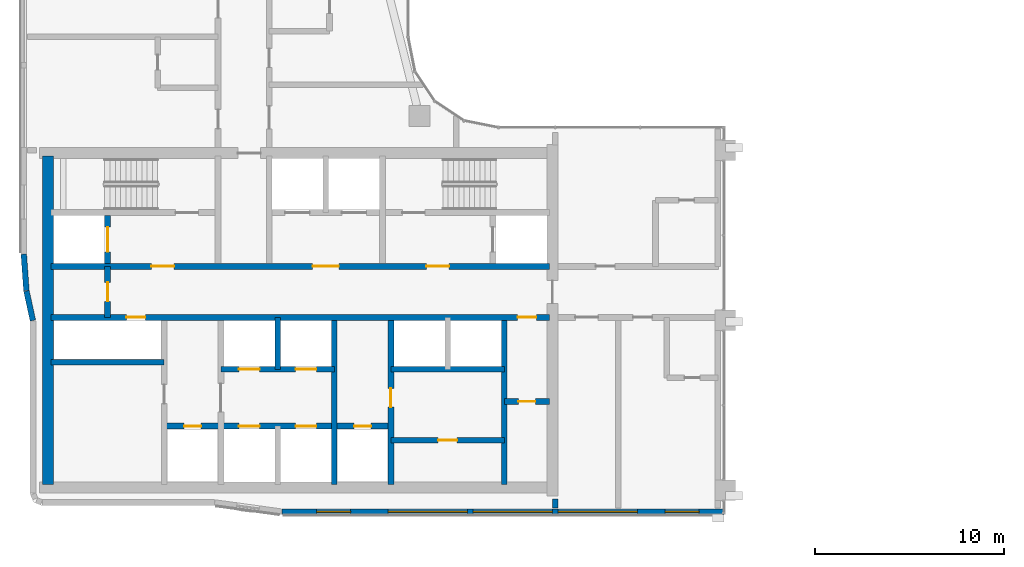
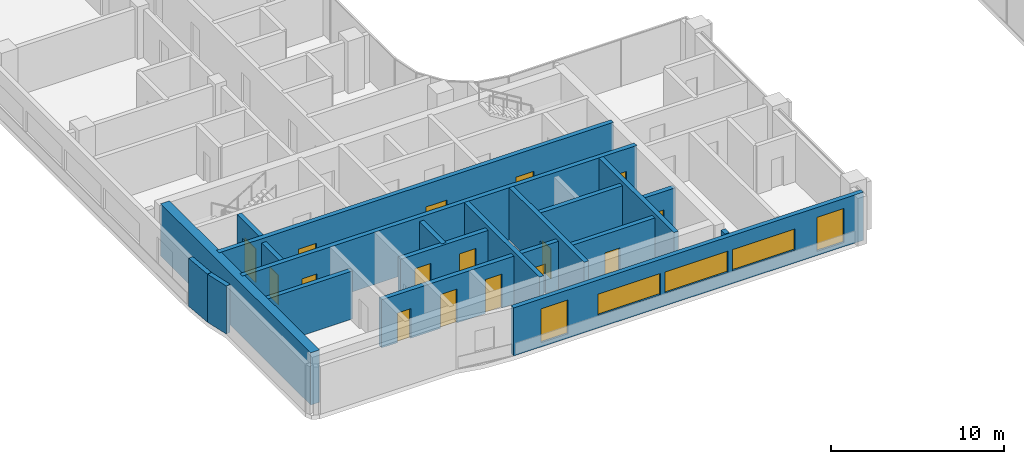
# One storey, part 10 of 23: 19 walls, 16 doors, 5 windows, 21 openings.
"""IFC4 building model written with IfcOpenShell, lengths in metres."""

from ifc_helpers import new_model, si_unit, direction, frame, frame_2d, origin, place, context, subcontext, project, spatial, rectangle, extrude, material, layer, layer_set, type_object, element, fill, save


model = new_model("IFC4")

# Units and contexts
model_context = context("Model", 3, precision=1e-05, world=origin(), true_north=direction((0.0, 1.0)))
body_context = subcontext(model_context, "Body", "Model", "MODEL_VIEW")
ifc_project = project(units=[si_unit("LENGTHUNIT", "METRE"), si_unit("AREAUNIT", "SQUARE_METRE"), si_unit("VOLUMEUNIT", "CUBIC_METRE"), si_unit("PLANEANGLEUNIT", "RADIAN"), si_unit("MASSUNIT", "GRAM", prefix="KILO")], contexts=[model_context])

# Site, building, storey
site_placement = place(None, origin())
site = spatial("IfcSite", under=ifc_project, at=site_placement, CompositionType="ELEMENT")
building_placement = place(site_placement, origin())
building = spatial("IfcBuilding", under=site, at=building_placement, Name="Ogive Portal Towers", CompositionType="ELEMENT")
storey_placement = place(building_placement, frame((0.0, 0.0, 168.10009765625)))
storey = spatial("IfcBuildingStorey", under=building, at=storey_placement, Name="L41", CompositionType="ELEMENT", Elevation=168.10009765625)

# Wall
ifc_material_1 = material(Name="Concrete C60/75", Category="concrete")
ifc_layer_1 = layer(ifc_material_1, 0.300048828125)
ifc_layer_set_1 = layer_set([ifc_layer_1], Name="CORE WALL 300 C60")
wall_type_1 = type_object("IfcWallType", Name="CORE WALL 300 C60", PredefinedType="SHEAR", material=ifc_layer_set_1)
wall_1_placement = place(storey_placement, frame((46.800048828125, 21.800048828125, 0.0), z_axis=(0.0, 0.0, 1.0), x_axis=(0.0, 1.0, 0.0)))
element("IfcWall", 1, at=wall_1_placement, inside=storey, type_object=wall_type_1, Name="Core wall X3 L41", PredefinedType="SHEAR", context=body_context, shape_type="SweptSolid", body=[
    extrude(rectangle(XDim=8.699951171875, YDim=0.300048828125, at=frame_2d((4.35009765625, 0.0))), origin(), (0.0, 0.0, 1.0), 3.699951171875),
])

# Wall, opening, door
wall_2_placement = place(storey_placement, frame((49.800048828125, 21.800048828125, 0.0), z_axis=(0.0, 0.0, 1.0), x_axis=(0.0, 1.0, 0.0)))
wall_2 = element("IfcWall", 2, at=wall_2_placement, inside=storey, type_object=wall_type_1, Name="Core wall X4 L41", PredefinedType="SHEAR", context=body_context, shape_type="SweptSolid", body=[
    extrude(rectangle(XDim=8.699951171875, YDim=0.300048828125, at=frame_2d((4.35009765625, 0.0))), origin(), (0.0, 0.0, 1.0), 3.699951171875),
])
opening_1_placement = place(wall_2_placement, frame((4.10009765625, 0.0, 0.0)))
opening_1 = element("IfcOpeningElement", 3, at=opening_1_placement, cuts=wall_2, Name="Opening D16-023", PredefinedType="OPENING", context=body_context, shape_type="SweptSolid", body=[
    extrude(rectangle(XDim=1.0, YDim=2.10009765625, at=frame_2d((0.5, 1.050048828125))), frame((0.0, 0.16015625, 0.0), z_axis=(0.0, -1.0, 0.0), x_axis=(1.0, 0.0, 0.0)), (0.0, 0.0, 1.0), 0.320068359375),
])
ifc_material_2 = material(Name="Steel fire door", Category="steel")
door_type_1 = type_object("IfcDoorType", Name="DT-SWING-1000x2100-FD90S", OperationType="SINGLE_SWING_LEFT", PredefinedType="DOOR", material=ifc_material_2)
door_1_placement = place(opening_1_placement, origin())
door_1 = element("IfcDoor", 4, at=door_1_placement, inside=storey, type_object=door_type_1, Name="Door D16-023", OperationType="SINGLE_SWING_LEFT", OverallHeight=2.10009765625, OverallWidth=1.0, PredefinedType="DOOR", context=body_context, shape_type="SweptSolid", body=[
    extrude(rectangle(XDim=1.0, YDim=2.10009765625, at=frame_2d((0.5, 1.050048828125))), frame((0.0, 0.02490234375, 0.0), z_axis=(0.0, -1.0, 0.0), x_axis=(1.0, 0.0, 0.0)), (0.0, 0.0, 1.0), 0.050048828125),
])
fill(opening_1, door_1)

# Wall
wall_3_placement = place(storey_placement, frame((55.800048828125, 21.800048828125, 0.0), z_axis=(0.0, 0.0, 1.0), x_axis=(0.0, 1.0, 0.0)))
element("IfcWall", 5, at=wall_3_placement, inside=storey, type_object=wall_type_1, Name="Core wall X5 L41", PredefinedType="SHEAR", context=body_context, shape_type="SweptSolid", body=[
    extrude(rectangle(XDim=8.699951171875, YDim=0.300048828125, at=frame_2d((4.35009765625, 0.0))), origin(), (0.0, 0.0, 1.0), 3.699951171875),
])

# Wall, openings, doors
wall_4_placement = place(storey_placement, frame((31.800048828125, 30.64990234375, 0.0), z_axis=(0.0, 0.0, 1.0), x_axis=(1.0, 0.0, 0.0)))
wall_4 = element("IfcWall", 6, at=wall_4_placement, inside=storey, type_object=wall_type_1, Name="Core wall Y1 L41", PredefinedType="SHEAR", context=body_context, shape_type="SweptSolid", body=[
    extrude(rectangle(XDim=26.39990234375, YDim=0.300048828125, at=frame_2d((13.199951171875, 0.0))), origin(), (0.0, 0.0, 1.0), 3.699951171875),
])
opening_2_placement = place(wall_4_placement, frame((24.699951171875, 0.0, 0.0)))
opening_2 = element("IfcOpeningElement", 7, at=opening_2_placement, cuts=wall_4, Name="Opening D16-009", PredefinedType="OPENING", context=body_context, shape_type="SweptSolid", body=[
    extrude(rectangle(XDim=1.0, YDim=2.10009765625, at=frame_2d((0.5, 1.050048828125))), frame((0.0, 0.16015625, 0.0), z_axis=(0.0, -1.0, 0.0), x_axis=(1.0, 0.0, 0.0)), (0.0, 0.0, 1.0), 0.320068359375),
])
opening_3_placement = place(wall_4_placement, frame((4.0, 0.0, 0.0)))
opening_3 = element("IfcOpeningElement", 8, at=opening_3_placement, cuts=wall_4, Name="Opening D16-021", PredefinedType="OPENING", context=body_context, shape_type="SweptSolid", body=[
    extrude(rectangle(XDim=1.0, YDim=2.10009765625, at=frame_2d((0.5, 1.050048828125))), frame((0.0, 0.16015625, 0.0), z_axis=(0.0, -1.0, 0.0), x_axis=(1.0, 0.0, 0.0)), (0.0, 0.0, 1.0), 0.320068359375),
])
door_2_placement = place(opening_2_placement, origin())
door_2 = element("IfcDoor", 9, at=door_2_placement, inside=storey, type_object=door_type_1, Name="Door D16-009", OperationType="SINGLE_SWING_LEFT", OverallHeight=2.10009765625, OverallWidth=1.0, PredefinedType="DOOR", context=body_context, shape_type="SweptSolid", body=[
    extrude(rectangle(XDim=1.0, YDim=2.10009765625, at=frame_2d((0.5, 1.050048828125))), frame((0.0, 0.02490234375, 0.0), z_axis=(0.0, -1.0, 0.0), x_axis=(1.0, 0.0, 0.0)), (0.0, 0.0, 1.0), 0.050048828125),
])
fill(opening_2, door_2)
door_3_placement = place(opening_3_placement, origin())
door_3 = element("IfcDoor", 10, at=door_3_placement, inside=storey, type_object=door_type_1, Name="Riser access door D16-021", OperationType="SINGLE_SWING_LEFT", OverallHeight=2.10009765625, OverallWidth=1.0, PredefinedType="DOOR", context=body_context, shape_type="SweptSolid", body=[
    extrude(rectangle(XDim=1.0, YDim=2.10009765625, at=frame_2d((0.5, 1.050048828125))), frame((0.0, 0.02490234375, 0.0), z_axis=(0.0, -1.0, 0.0), x_axis=(1.0, 0.0, 0.0)), (0.0, 0.0, 1.0), 0.050048828125),
])
fill(opening_3, door_3)

wall_5_placement = place(storey_placement, frame((31.800048828125, 33.35009765625, 0.0), z_axis=(0.0, 0.0, 1.0), x_axis=(1.0, 0.0, 0.0)))
wall_5 = element("IfcWall", 11, at=wall_5_placement, inside=storey, type_object=wall_type_1, Name="Core wall Y2 L41", PredefinedType="SHEAR", context=body_context, shape_type="SweptSolid", body=[
    extrude(rectangle(XDim=26.39990234375, YDim=0.300048828125, at=frame_2d((13.199951171875, 0.0))), origin(), (0.0, 0.0, 1.0), 3.699951171875),
])
opening_4_placement = place(wall_5_placement, frame((13.85009765625, 0.0, 0.0)))
opening_4 = element("IfcOpeningElement", 12, at=opening_4_placement, cuts=wall_5, Name="Opening D16-002", PredefinedType="OPENING", context=body_context, shape_type="SweptSolid", body=[
    extrude(rectangle(XDim=1.39990234375, YDim=2.10009765625, at=frame_2d((0.699951171875, 1.050048828125))), frame((0.0, 0.16015625, 0.0), z_axis=(0.0, -1.0, 0.0), x_axis=(1.0, 0.0, 0.0)), (0.0, 0.0, 1.0), 0.320068359375),
])
opening_5_placement = place(wall_5_placement, frame((5.324951171875, 0.0, 0.0)))
opening_5 = element("IfcOpeningElement", 13, at=opening_5_placement, cuts=wall_5, Name="Opening D16-003", PredefinedType="OPENING", context=body_context, shape_type="SweptSolid", body=[
    extrude(rectangle(XDim=1.199951171875, YDim=2.10009765625, at=frame_2d((0.60009765625, 1.050048828125))), frame((0.0, 0.16015625, 0.0), z_axis=(0.0, -1.0, 0.0), x_axis=(1.0, 0.0, 0.0)), (0.0, 0.0, 1.0), 0.320068359375),
])
opening_6_placement = place(wall_5_placement, frame((19.875, 0.0, 0.0)))
opening_6 = element("IfcOpeningElement", 14, at=opening_6_placement, cuts=wall_5, Name="Opening D16-004", PredefinedType="OPENING", context=body_context, shape_type="SweptSolid", body=[
    extrude(rectangle(XDim=1.199951171875, YDim=2.10009765625, at=frame_2d((0.60009765625, 1.050048828125))), frame((0.0, 0.16015625, 0.0), z_axis=(0.0, -1.0, 0.0), x_axis=(1.0, 0.0, 0.0)), (0.0, 0.0, 1.0), 0.320068359375),
])
door_type_2 = type_object("IfcDoorType", Name="DT-SWING-1200x2100-FD90S", OperationType="SINGLE_SWING_LEFT", PredefinedType="DOOR", material=ifc_material_2)
door_4_placement = place(opening_5_placement, origin())
door_4 = element("IfcDoor", 15, at=door_4_placement, inside=storey, type_object=door_type_2, Name="Door D16-003", OperationType="SINGLE_SWING_LEFT", OverallHeight=2.10009765625, OverallWidth=1.199951171875, PredefinedType="DOOR", context=body_context, shape_type="SweptSolid", body=[
    extrude(rectangle(XDim=1.199951171875, YDim=2.10009765625, at=frame_2d((0.60009765625, 1.050048828125))), frame((0.0, 0.02490234375, 0.0), z_axis=(0.0, -1.0, 0.0), x_axis=(1.0, 0.0, 0.0)), (0.0, 0.0, 1.0), 0.050048828125),
])
fill(opening_5, door_4)
door_5_placement = place(opening_6_placement, origin())
door_5 = element("IfcDoor", 16, at=door_5_placement, inside=storey, type_object=door_type_2, Name="Door D16-004", OperationType="SINGLE_SWING_RIGHT", OverallHeight=2.10009765625, OverallWidth=1.199951171875, PredefinedType="DOOR", context=body_context, shape_type="SweptSolid", body=[
    extrude(rectangle(XDim=1.199951171875, YDim=2.10009765625, at=frame_2d((0.60009765625, 1.050048828125))), frame((0.0, 0.02490234375, 0.0), z_axis=(0.0, -1.0, 0.0), x_axis=(1.0, 0.0, 0.0)), (0.0, 0.0, 1.0), 0.050048828125),
])
fill(opening_6, door_5)
door_type_3 = type_object("IfcDoorType", Name="DT-SWING-1400x2100-FD90S", OperationType="SINGLE_SWING_LEFT", PredefinedType="DOOR", material=ifc_material_2)
door_6_placement = place(opening_4_placement, origin())
door_6 = element("IfcDoor", 17, at=door_6_placement, inside=storey, type_object=door_type_3, Name="Door D16-002", OperationType="SINGLE_SWING_RIGHT", OverallHeight=2.10009765625, OverallWidth=1.39990234375, PredefinedType="DOOR", context=body_context, shape_type="SweptSolid", body=[
    extrude(rectangle(XDim=1.39990234375, YDim=2.10009765625, at=frame_2d((0.699951171875, 1.050048828125))), frame((0.0, 0.02490234375, 0.0), z_axis=(0.0, -1.0, 0.0), x_axis=(1.0, 0.0, 0.0)), (0.0, 0.0, 1.0), 0.050048828125),
])
fill(opening_4, door_6)

# Wall, opening, door
wall_6_placement = place(storey_placement, frame((34.800048828125, 33.5, 0.0), z_axis=(0.0, 0.0, 1.0), x_axis=(0.0, 1.0, 0.0)))
wall_6 = element("IfcWall", 18, at=wall_6_placement, inside=storey, type_object=wall_type_1, Name="Core wall X8 L41", PredefinedType="SHEAR", context=body_context, shape_type="SweptSolid", body=[
    extrude(rectangle(XDim=2.550048828125, YDim=0.300048828125, at=frame_2d((1.27490234375, 0.0))), origin(), (0.0, 0.0, 1.0), 3.699951171875),
])
opening_7_placement = place(wall_6_placement, frame((0.625, 0.0, 0.0)))
opening_7 = element("IfcOpeningElement", 19, at=opening_7_placement, cuts=wall_6, Name="Opening D16-019", PredefinedType="OPENING", context=body_context, shape_type="SweptSolid", body=[
    extrude(rectangle(XDim=1.300048828125, YDim=2.39990234375, at=frame_2d((0.64990234375, 1.199951171875))), frame((0.0, 0.16015625, 0.0), z_axis=(0.0, -1.0, 0.0), x_axis=(1.0, 0.0, 0.0)), (0.0, 0.0, 1.0), 0.320068359375),
])
ifc_material_3 = material(Name="Stainless steel", Category="steel")
door_type_4 = type_object("IfcDoorType", Name="DT-LD-1300x2400", OperationType="SLIDING_TO_LEFT", PredefinedType="DOOR", material=ifc_material_3)
door_7_placement = place(opening_7_placement, origin())
door_7 = element("IfcDoor", 20, at=door_7_placement, inside=storey, type_object=door_type_4, Name="Door D16-019", OperationType="SLIDING_TO_LEFT", OverallHeight=2.39990234375, OverallWidth=1.300048828125, PredefinedType="DOOR", context=body_context, shape_type="SweptSolid", body=[
    extrude(rectangle(XDim=1.300048828125, YDim=2.39990234375, at=frame_2d((0.64990234375, 1.199951171875))), frame((0.0, 0.02490234375, 0.0), z_axis=(0.0, -1.0, 0.0), x_axis=(1.0, 0.0, 0.0)), (0.0, 0.0, 1.0), 0.050048828125),
])
fill(opening_7, door_7)

# Wall
ifc_layer_2 = layer(ifc_material_1, 0.60009765625)
ifc_layer_set_2 = layer_set([ifc_layer_2], Name="CORE WALL 600 C60")
wall_type_2 = type_object("IfcWallType", Name="CORE WALL 600 C60", PredefinedType="SHEAR", material=ifc_layer_set_2)
wall_7_placement = place(storey_placement, frame((31.64990234375, 21.800048828125, 0.0), z_axis=(0.0, 0.0, 1.0), x_axis=(0.0, 1.0, 0.0)))
element("IfcWall", 21, at=wall_7_placement, inside=storey, type_object=wall_type_2, Name="Core wall W L41", PredefinedType="SHEAR", context=body_context, shape_type="SweptSolid", body=[
    extrude(rectangle(XDim=17.39990234375, YDim=0.60009765625, at=frame_2d((8.699951171875, 0.0))), origin(), (0.0, 0.0, 1.0), 3.699951171875),
])

# Wall, openings, windows
ifc_material_4 = material(Name="Limestone cladding on lightweight block wall", Category="masonry")
ifc_layer_3 = layer(ifc_material_4, 0.300048828125)
ifc_layer_set_3 = layer_set([ifc_layer_3], Name="EXTERNAL WALL 300 STONE")
wall_type_3 = type_object("IfcWallType", Name="EXTERNAL WALL 300 STONE", PredefinedType="SOLIDWALL", material=ifc_layer_set_3)
wall_8_placement = place(storey_placement, frame((44.0205078125, 20.364990234375, 0.0), z_axis=(0.0, 0.0, 1.0), x_axis=(1.0, 0.0, 0.0)))
wall_8 = element("IfcWall", 22, at=wall_8_placement, inside=storey, type_object=wall_type_3, Name="A:L41:f05:r0:wall", PredefinedType="SOLIDWALL", context=body_context, shape_type="SweptSolid", body=[
    extrude(rectangle(XDim=23.3994140625, YDim=0.300048828125, at=frame_2d((11.69970703125, 0.0))), origin(), (0.0, 0.0, 1.0), 3.39990234375),
])
opening_8_placement = place(wall_8_placement, frame((1.83984375, 0.0, 0.300048828125)))
opening_8 = element("IfcOpeningElement", 23, at=opening_8_placement, cuts=wall_8, Name="Opening WN10", PredefinedType="OPENING", context=body_context, shape_type="SweptSolid", body=[
    extrude(rectangle(XDim=1.800048828125, YDim=2.39990234375, at=frame_2d((0.89990234375, 1.199951171875))), frame((0.0, 0.16015625, 0.0), z_axis=(0.0, -1.0, 0.0), x_axis=(1.0, 0.0, 0.0)), (0.0, 0.0, 1.0), 0.320068359375),
])
opening_9_placement = place(wall_8_placement, frame((5.629638671875, 0.0, 0.89990234375)))
opening_9 = element("IfcOpeningElement", 24, at=opening_9_placement, cuts=wall_8, Name="Opening WN11", PredefinedType="OPENING", context=body_context, shape_type="SweptSolid", body=[
    extrude(rectangle(XDim=4.199951171875, YDim=1.5, at=frame_2d((2.10009765625, 0.75))), frame((0.0, 0.16015625, 0.0), z_axis=(0.0, -1.0, 0.0), x_axis=(1.0, 0.0, 0.0)), (0.0, 0.0, 1.0), 0.320068359375),
])
opening_10_placement = place(wall_8_placement, frame((10.129638671875, 0.0, 0.89990234375)))
opening_10 = element("IfcOpeningElement", 25, at=opening_10_placement, cuts=wall_8, Name="Opening WN11", PredefinedType="OPENING", context=body_context, shape_type="SweptSolid", body=[
    extrude(rectangle(XDim=4.199951171875, YDim=1.5, at=frame_2d((2.10009765625, 0.75))), frame((0.0, 0.16015625, 0.0), z_axis=(0.0, -1.0, 0.0), x_axis=(1.0, 0.0, 0.0)), (0.0, 0.0, 1.0), 0.320068359375),
])
opening_11_placement = place(wall_8_placement, frame((14.629638671875, 0.0, 0.89990234375)))
opening_11 = element("IfcOpeningElement", 26, at=opening_11_placement, cuts=wall_8, Name="Opening WN11", PredefinedType="OPENING", context=body_context, shape_type="SweptSolid", body=[
    extrude(rectangle(XDim=4.199951171875, YDim=1.5, at=frame_2d((2.10009765625, 0.75))), frame((0.0, 0.16015625, 0.0), z_axis=(0.0, -1.0, 0.0), x_axis=(1.0, 0.0, 0.0)), (0.0, 0.0, 1.0), 0.320068359375),
])
opening_12_placement = place(wall_8_placement, frame((20.28955078125, 0.0, 0.300048828125)))
opening_12 = element("IfcOpeningElement", 27, at=opening_12_placement, cuts=wall_8, Name="Opening WN10", PredefinedType="OPENING", context=body_context, shape_type="SweptSolid", body=[
    extrude(rectangle(XDim=1.800048828125, YDim=2.39990234375, at=frame_2d((0.89990234375, 1.199951171875))), frame((0.0, 0.16015625, 0.0), z_axis=(0.0, -1.0, 0.0), x_axis=(1.0, 0.0, 0.0)), (0.0, 0.0, 1.0), 0.320068359375),
])
ifc_material_5 = material(Name="Glass, clear low-iron insulated glazing", Category="glass")
window_type_1 = type_object("IfcWindowType", Name="WINDOW RIBBON 4200x1500", PartitioningType="TRIPLE_PANEL_VERTICAL", PredefinedType="WINDOW", material=ifc_material_5)
window_1_placement = place(opening_9_placement, origin())
window_1 = element("IfcWindow", 28, at=window_1_placement, inside=storey, type_object=window_type_1, Name="A:L41:f05:r0:w1", OverallHeight=1.5, OverallWidth=4.199951171875, PartitioningType="SINGLE_PANEL", PredefinedType="WINDOW", context=body_context, shape_type="SweptSolid", body=[
    extrude(rectangle(XDim=4.199951171875, YDim=1.5, at=frame_2d((2.10009765625, 0.75))), frame((0.0, 0.030029296875, 0.0), z_axis=(0.0, -1.0, 0.0), x_axis=(1.0, 0.0, 0.0)), (0.0, 0.0, 1.0), 0.06005859375),
])
fill(opening_9, window_1)
window_2_placement = place(opening_10_placement, origin())
window_2 = element("IfcWindow", 29, at=window_2_placement, inside=storey, type_object=window_type_1, Name="A:L41:f05:r0:w2", OverallHeight=1.5, OverallWidth=4.199951171875, PartitioningType="SINGLE_PANEL", PredefinedType="WINDOW", context=body_context, shape_type="SweptSolid", body=[
    extrude(rectangle(XDim=4.199951171875, YDim=1.5, at=frame_2d((2.10009765625, 0.75))), frame((0.0, 0.030029296875, 0.0), z_axis=(0.0, -1.0, 0.0), x_axis=(1.0, 0.0, 0.0)), (0.0, 0.0, 1.0), 0.06005859375),
])
fill(opening_10, window_2)
window_3_placement = place(opening_11_placement, origin())
window_3 = element("IfcWindow", 30, at=window_3_placement, inside=storey, type_object=window_type_1, Name="A:L41:f05:r0:w3", OverallHeight=1.5, OverallWidth=4.199951171875, PartitioningType="SINGLE_PANEL", PredefinedType="WINDOW", context=body_context, shape_type="SweptSolid", body=[
    extrude(rectangle(XDim=4.199951171875, YDim=1.5, at=frame_2d((2.10009765625, 0.75))), frame((0.0, 0.030029296875, 0.0), z_axis=(0.0, -1.0, 0.0), x_axis=(1.0, 0.0, 0.0)), (0.0, 0.0, 1.0), 0.06005859375),
])
fill(opening_11, window_3)
window_type_2 = type_object("IfcWindowType", Name="WINDOW SUITE CORNER 1800x2400", PartitioningType="DOUBLE_PANEL_VERTICAL", PredefinedType="WINDOW", material=ifc_material_5)
window_4_placement = place(opening_8_placement, origin())
window_4 = element("IfcWindow", 31, at=window_4_placement, inside=storey, type_object=window_type_2, Name="A:L41:f05:r0:w0", OverallHeight=2.39990234375, OverallWidth=1.800048828125, PartitioningType="SINGLE_PANEL", PredefinedType="WINDOW", context=body_context, shape_type="SweptSolid", body=[
    extrude(rectangle(XDim=1.800048828125, YDim=2.39990234375, at=frame_2d((0.89990234375, 1.199951171875))), frame((0.0, 0.030029296875, 0.0), z_axis=(0.0, -1.0, 0.0), x_axis=(1.0, 0.0, 0.0)), (0.0, 0.0, 1.0), 0.06005859375),
])
fill(opening_8, window_4)
window_5_placement = place(opening_12_placement, origin())
window_5 = element("IfcWindow", 32, at=window_5_placement, inside=storey, type_object=window_type_2, Name="A:L41:f05:r0:w4", OverallHeight=2.39990234375, OverallWidth=1.800048828125, PartitioningType="SINGLE_PANEL", PredefinedType="WINDOW", context=body_context, shape_type="SweptSolid", body=[
    extrude(rectangle(XDim=1.800048828125, YDim=2.39990234375, at=frame_2d((0.89990234375, 1.199951171875))), frame((0.0, 0.030029296875, 0.0), z_axis=(0.0, -1.0, 0.0), x_axis=(1.0, 0.0, 0.0)), (0.0, 0.0, 1.0), 0.06005859375),
])
fill(opening_12, window_5)

# Walls
wall_9_placement = place(storey_placement, frame((30.365478515625, 34.0, 0.0), z_axis=(0.0, 0.0, 1.0), x_axis=(0.071300859436, -0.99745485484, 0.0)))
element("IfcWall", 33, at=wall_9_placement, inside=storey, type_object=wall_type_3, Name="A:L41:f20:r0:wall", PredefinedType="SOLIDWALL", context=body_context, shape_type="SweptSolid", body=[
    extrude(rectangle(XDim=1.9345703125, YDim=0.300048828125, at=frame_2d((0.96728515625, 0.0))), origin(), (0.0, 0.0, 1.0), 3.39990234375),
])
wall_10_placement = place(storey_placement, frame((30.50634765625, 32.049072265625, 0.0), z_axis=(0.0, 0.0, 1.0), x_axis=(0.212695686462, -0.977118490747, 0.0)))
element("IfcWall", 34, at=wall_10_placement, inside=storey, type_object=wall_type_3, Name="A:L41:f21:r0:wall", PredefinedType="SOLIDWALL", context=body_context, shape_type="SweptSolid", body=[
    extrude(rectangle(XDim=1.60009765625, YDim=0.300048828125, at=frame_2d((0.800048828125, 0.0))), origin(), (0.0, 0.0, 1.0), 3.39990234375),
])

# Wall, opening, door
ifc_material_6 = material(Name="Gypsum board partition on steel studs", Category="steel")
ifc_layer_4 = layer(ifc_material_6, 0.300048828125)
ifc_layer_set_4 = layer_set([ifc_layer_4], Name="WT-PART-300")
wall_type_4 = type_object("IfcWallType", Name="WT-PART-300", PredefinedType="PARTITIONING", material=ifc_layer_set_4)
wall_11_placement = place(storey_placement, frame((49.800048828125, 24.14990234375, 0.0), z_axis=(0.0, 0.0, 1.0), x_axis=(1.0, 0.0, 0.0)))
wall_11 = element("IfcWall", 35, at=wall_11_placement, inside=storey, type_object=wall_type_4, Name="Wall pw:001:L41", PredefinedType="PARTITIONING", context=body_context, shape_type="SweptSolid", body=[
    extrude(rectangle(XDim=6.0, YDim=0.300048828125, at=frame_2d((3.0, 0.0))), origin(), (0.0, 0.0, 1.0), 3.39990234375),
])
opening_13_placement = place(wall_11_placement, frame((2.5, 0.0, 0.0)))
opening_13 = element("IfcOpeningElement", 36, at=opening_13_placement, cuts=wall_11, Name="Opening D16-024", PredefinedType="OPENING", context=body_context, shape_type="SweptSolid", body=[
    extrude(rectangle(XDim=1.0, YDim=2.10009765625, at=frame_2d((0.5, 1.050048828125))), frame((0.0, 0.16015625, 0.0), z_axis=(0.0, -1.0, 0.0), x_axis=(1.0, 0.0, 0.0)), (0.0, 0.0, 1.0), 0.320068359375),
])
door_type_5 = type_object("IfcDoorType", Name="DT-SWING-1000x2100-FD60S", OperationType="SINGLE_SWING_LEFT", PredefinedType="DOOR", material=ifc_material_2)
door_8_placement = place(opening_13_placement, origin())
door_8 = element("IfcDoor", 37, at=door_8_placement, inside=storey, type_object=door_type_5, Name="Door D16-024", OperationType="SINGLE_SWING_RIGHT", OverallHeight=2.10009765625, OverallWidth=1.0, PredefinedType="DOOR", context=body_context, shape_type="SweptSolid", body=[
    extrude(rectangle(XDim=1.0, YDim=2.10009765625, at=frame_2d((0.5, 1.050048828125))), frame((0.0, 0.02490234375, 0.0), z_axis=(0.0, -1.0, 0.0), x_axis=(1.0, 0.0, 0.0)), (0.0, 0.0, 1.0), 0.050048828125),
])
fill(opening_13, door_8)

wall_12_placement = place(storey_placement, frame((55.800048828125, 26.199951171875, 0.0), z_axis=(0.0, 0.0, 1.0), x_axis=(1.0, 0.0, 0.0)))
wall_12 = element("IfcWall", 38, at=wall_12_placement, inside=storey, type_object=wall_type_4, Name="Wall pw:003:L41", PredefinedType="PARTITIONING", context=body_context, shape_type="SweptSolid", body=[
    extrude(rectangle(XDim=2.39990234375, YDim=0.300048828125, at=frame_2d((1.199951171875, 0.0))), origin(), (0.0, 0.0, 1.0), 3.39990234375),
])
opening_14_placement = place(wall_12_placement, frame((0.75, 0.0, 0.0)))
opening_14 = element("IfcOpeningElement", 39, at=opening_14_placement, cuts=wall_12, Name="Opening D16-010", PredefinedType="OPENING", context=body_context, shape_type="SweptSolid", body=[
    extrude(rectangle(XDim=0.89990234375, YDim=2.10009765625, at=frame_2d((0.449951171875, 1.050048828125))), frame((0.0, 0.16015625, 0.0), z_axis=(0.0, -1.0, 0.0), x_axis=(1.0, 0.0, 0.0)), (0.0, 0.0, 1.0), 0.320068359375),
])
door_type_6 = type_object("IfcDoorType", Name="DT-SWING-900x2100-FD60S", OperationType="SINGLE_SWING_LEFT", PredefinedType="DOOR", material=ifc_material_2)
door_9_placement = place(opening_14_placement, origin())
door_9 = element("IfcDoor", 40, at=door_9_placement, inside=storey, type_object=door_type_6, Name="Door D16-010", OperationType="SINGLE_SWING_RIGHT", OverallHeight=2.10009765625, OverallWidth=0.89990234375, PredefinedType="DOOR", context=body_context, shape_type="SweptSolid", body=[
    extrude(rectangle(XDim=0.89990234375, YDim=2.10009765625, at=frame_2d((0.449951171875, 1.050048828125))), frame((0.0, 0.02490234375, 0.0), z_axis=(0.0, -1.0, 0.0), x_axis=(1.0, 0.0, 0.0)), (0.0, 0.0, 1.0), 0.050048828125),
])
fill(opening_14, door_9)

# Walls
wall_13_placement = place(storey_placement, frame((31.800048828125, 28.277099609375, 0.0), z_axis=(0.0, 0.0, 1.0), x_axis=(1.0, 0.0, 0.0)))
element("IfcWall", 41, at=wall_13_placement, inside=storey, type_object=wall_type_4, Name="Wall pw:006:L41", PredefinedType="PARTITIONING", context=body_context, shape_type="SweptSolid", body=[
    extrude(rectangle(XDim=6.0, YDim=0.300048828125, at=frame_2d((3.0, 0.0))), origin(), (0.0, 0.0, 1.0), 3.39990234375),
])
ifc_layer_5 = layer(ifc_material_6, 0.300048828125)
ifc_layer_set_5 = layer_set([ifc_layer_5], Name="WT-PART-300-EI 60")
wall_type_5 = type_object("IfcWallType", Name="WT-PART-300-EI 60", PredefinedType="PARTITIONING", material=ifc_layer_set_5)
wall_14_placement = place(storey_placement, frame((58.5, 20.56494140625, 0.0), z_axis=(0.0, 0.0, 1.0), x_axis=(0.0, 1.0, 0.0)))
element("IfcWall", 42, at=wall_14_placement, inside=storey, type_object=wall_type_5, Name="Wall L41:w037", PredefinedType="PARTITIONING", context=body_context, shape_type="SweptSolid", body=[
    extrude(rectangle(XDim=0.465087890625, YDim=0.300048828125, at=frame_2d((0.232421875, 0.0))), origin(), (0.0, 0.0, 1.0), 3.39990234375),
])

# Wall, openings, doors
ifc_material_7 = material(Name="Concrete C40/50", Category="concrete")
ifc_layer_6 = layer(ifc_material_7, 0.300048828125)
ifc_layer_set_6 = layer_set([ifc_layer_6], Name="WT-SHAFT-300")
wall_type_6 = type_object("IfcWallType", Name="WT-SHAFT-300", PredefinedType="SOLIDWALL", material=ifc_layer_set_6)
wall_15_placement = place(storey_placement, frame((37.800048828125, 24.89990234375, 0.0), z_axis=(0.0, 0.0, 1.0), x_axis=(1.0, 0.0, 0.0)))
wall_15 = element("IfcWall", 43, at=wall_15_placement, inside=storey, type_object=wall_type_6, Name="Wall pw:002:L41", PredefinedType="SOLIDWALL", context=body_context, shape_type="SweptSolid", body=[
    extrude(rectangle(XDim=12.0, YDim=0.300048828125, at=frame_2d((6.0, 0.0))), origin(), (0.0, 0.0, 1.0), 3.39990234375),
])
opening_15_placement = place(wall_15_placement, frame((1.050048828125, 0.0, 0.0)))
opening_15 = element("IfcOpeningElement", 44, at=opening_15_placement, cuts=wall_15, Name="Opening D16-007", PredefinedType="OPENING", context=body_context, shape_type="SweptSolid", body=[
    extrude(rectangle(XDim=0.89990234375, YDim=2.10009765625, at=frame_2d((0.449951171875, 1.050048828125))), frame((0.0, 0.16015625, 0.0), z_axis=(0.0, -1.0, 0.0), x_axis=(1.0, 0.0, 0.0)), (0.0, 0.0, 1.0), 0.320068359375),
])
opening_16_placement = place(wall_15_placement, frame((10.050048828125, 0.0, 0.0)))
opening_16 = element("IfcOpeningElement", 45, at=opening_16_placement, cuts=wall_15, Name="Opening D16-008", PredefinedType="OPENING", context=body_context, shape_type="SweptSolid", body=[
    extrude(rectangle(XDim=0.89990234375, YDim=2.10009765625, at=frame_2d((0.449951171875, 1.050048828125))), frame((0.0, 0.16015625, 0.0), z_axis=(0.0, -1.0, 0.0), x_axis=(1.0, 0.0, 0.0)), (0.0, 0.0, 1.0), 0.320068359375),
])
opening_17_placement = place(wall_15_placement, frame((3.949951171875, 0.0, 0.0)))
opening_17 = element("IfcOpeningElement", 46, at=opening_17_placement, cuts=wall_15, Name="Opening D16-013", PredefinedType="OPENING", context=body_context, shape_type="SweptSolid", body=[
    extrude(rectangle(XDim=1.10009765625, YDim=2.39990234375, at=frame_2d((0.550048828125, 1.199951171875))), frame((0.0, 0.16015625, 0.0), z_axis=(0.0, -1.0, 0.0), x_axis=(1.0, 0.0, 0.0)), (0.0, 0.0, 1.0), 0.320068359375),
])
opening_18_placement = place(wall_15_placement, frame((6.949951171875, 0.0, 0.0)))
opening_18 = element("IfcOpeningElement", 47, at=opening_18_placement, cuts=wall_15, Name="Opening D16-014", PredefinedType="OPENING", context=body_context, shape_type="SweptSolid", body=[
    extrude(rectangle(XDim=1.10009765625, YDim=2.39990234375, at=frame_2d((0.550048828125, 1.199951171875))), frame((0.0, 0.16015625, 0.0), z_axis=(0.0, -1.0, 0.0), x_axis=(1.0, 0.0, 0.0)), (0.0, 0.0, 1.0), 0.320068359375),
])
door_type_7 = type_object("IfcDoorType", Name="DT-LD-1100x2400", OperationType="SLIDING_TO_LEFT", PredefinedType="DOOR", material=ifc_material_3)
door_10_placement = place(opening_17_placement, origin())
door_10 = element("IfcDoor", 48, at=door_10_placement, inside=storey, type_object=door_type_7, Name="Door D16-013", OperationType="SLIDING_TO_LEFT", OverallHeight=2.39990234375, OverallWidth=1.10009765625, PredefinedType="DOOR", context=body_context, shape_type="SweptSolid", body=[
    extrude(rectangle(XDim=1.10009765625, YDim=2.39990234375, at=frame_2d((0.550048828125, 1.199951171875))), frame((0.0, 0.02490234375, 0.0), z_axis=(0.0, -1.0, 0.0), x_axis=(1.0, 0.0, 0.0)), (0.0, 0.0, 1.0), 0.050048828125),
])
fill(opening_17, door_10)
door_11_placement = place(opening_18_placement, origin())
door_11 = element("IfcDoor", 49, at=door_11_placement, inside=storey, type_object=door_type_7, Name="Door D16-014", OperationType="SLIDING_TO_LEFT", OverallHeight=2.39990234375, OverallWidth=1.10009765625, PredefinedType="DOOR", context=body_context, shape_type="SweptSolid", body=[
    extrude(rectangle(XDim=1.10009765625, YDim=2.39990234375, at=frame_2d((0.550048828125, 1.199951171875))), frame((0.0, 0.02490234375, 0.0), z_axis=(0.0, -1.0, 0.0), x_axis=(1.0, 0.0, 0.0)), (0.0, 0.0, 1.0), 0.050048828125),
])
fill(opening_18, door_11)
door_type_8 = type_object("IfcDoorType", Name="DT-SWING-900x2100-FD90S", OperationType="SINGLE_SWING_LEFT", PredefinedType="DOOR", material=ifc_material_2)
door_12_placement = place(opening_15_placement, origin())
door_12 = element("IfcDoor", 50, at=door_12_placement, inside=storey, type_object=door_type_8, Name="Riser access door D16-007", OperationType="SINGLE_SWING_LEFT", OverallHeight=2.10009765625, OverallWidth=0.89990234375, PredefinedType="DOOR", context=body_context, shape_type="SweptSolid", body=[
    extrude(rectangle(XDim=0.89990234375, YDim=2.10009765625, at=frame_2d((0.449951171875, 1.050048828125))), frame((0.0, 0.02490234375, 0.0), z_axis=(0.0, -1.0, 0.0), x_axis=(1.0, 0.0, 0.0)), (0.0, 0.0, 1.0), 0.050048828125),
])
fill(opening_15, door_12)
door_13_placement = place(opening_16_placement, origin())
door_13 = element("IfcDoor", 51, at=door_13_placement, inside=storey, type_object=door_type_8, Name="Riser access door D16-008", OperationType="SINGLE_SWING_RIGHT", OverallHeight=2.10009765625, OverallWidth=0.89990234375, PredefinedType="DOOR", context=body_context, shape_type="SweptSolid", body=[
    extrude(rectangle(XDim=0.89990234375, YDim=2.10009765625, at=frame_2d((0.449951171875, 1.050048828125))), frame((0.0, 0.02490234375, 0.0), z_axis=(0.0, -1.0, 0.0), x_axis=(1.0, 0.0, 0.0)), (0.0, 0.0, 1.0), 0.050048828125),
])
fill(opening_16, door_13)

wall_16_placement = place(storey_placement, frame((40.800048828125, 27.89990234375, 0.0), z_axis=(0.0, 0.0, 1.0), x_axis=(1.0, 0.0, 0.0)))
wall_16 = element("IfcWall", 52, at=wall_16_placement, inside=storey, type_object=wall_type_6, Name="Wall pw:004:L41", PredefinedType="SOLIDWALL", context=body_context, shape_type="SweptSolid", body=[
    extrude(rectangle(XDim=6.0, YDim=0.300048828125, at=frame_2d((3.0, 0.0))), origin(), (0.0, 0.0, 1.0), 3.39990234375),
])
opening_19_placement = place(wall_16_placement, frame((0.949951171875, 0.0, 0.0)))
opening_19 = element("IfcOpeningElement", 53, at=opening_19_placement, cuts=wall_16, Name="Opening D16-015", PredefinedType="OPENING", context=body_context, shape_type="SweptSolid", body=[
    extrude(rectangle(XDim=1.10009765625, YDim=2.39990234375, at=frame_2d((0.550048828125, 1.199951171875))), frame((0.0, 0.16015625, 0.0), z_axis=(0.0, -1.0, 0.0), x_axis=(1.0, 0.0, 0.0)), (0.0, 0.0, 1.0), 0.320068359375),
])
opening_20_placement = place(wall_16_placement, frame((3.949951171875, 0.0, 0.0)))
opening_20 = element("IfcOpeningElement", 54, at=opening_20_placement, cuts=wall_16, Name="Opening D16-016", PredefinedType="OPENING", context=body_context, shape_type="SweptSolid", body=[
    extrude(rectangle(XDim=1.10009765625, YDim=2.39990234375, at=frame_2d((0.550048828125, 1.199951171875))), frame((0.0, 0.16015625, 0.0), z_axis=(0.0, -1.0, 0.0), x_axis=(1.0, 0.0, 0.0)), (0.0, 0.0, 1.0), 0.320068359375),
])
door_14_placement = place(opening_19_placement, origin())
door_14 = element("IfcDoor", 55, at=door_14_placement, inside=storey, type_object=door_type_7, Name="Door D16-015", OperationType="SLIDING_TO_LEFT", OverallHeight=2.39990234375, OverallWidth=1.10009765625, PredefinedType="DOOR", context=body_context, shape_type="SweptSolid", body=[
    extrude(rectangle(XDim=1.10009765625, YDim=2.39990234375, at=frame_2d((0.550048828125, 1.199951171875))), frame((0.0, 0.02490234375, 0.0), z_axis=(0.0, -1.0, 0.0), x_axis=(1.0, 0.0, 0.0)), (0.0, 0.0, 1.0), 0.050048828125),
])
fill(opening_19, door_14)
door_15_placement = place(opening_20_placement, origin())
door_15 = element("IfcDoor", 56, at=door_15_placement, inside=storey, type_object=door_type_7, Name="Door D16-016", OperationType="SLIDING_TO_LEFT", OverallHeight=2.39990234375, OverallWidth=1.10009765625, PredefinedType="DOOR", context=body_context, shape_type="SweptSolid", body=[
    extrude(rectangle(XDim=1.10009765625, YDim=2.39990234375, at=frame_2d((0.550048828125, 1.199951171875))), frame((0.0, 0.02490234375, 0.0), z_axis=(0.0, -1.0, 0.0), x_axis=(1.0, 0.0, 0.0)), (0.0, 0.0, 1.0), 0.050048828125),
])
fill(opening_20, door_15)

# Wall
wall_17_placement = place(storey_placement, frame((49.800048828125, 27.89990234375, 0.0), z_axis=(0.0, 0.0, 1.0), x_axis=(1.0, 0.0, 0.0)))
element("IfcWall", 57, at=wall_17_placement, inside=storey, type_object=wall_type_6, Name="Wall pw:005:L41", PredefinedType="SOLIDWALL", context=body_context, shape_type="SweptSolid", body=[
    extrude(rectangle(XDim=6.0, YDim=0.300048828125, at=frame_2d((3.0, 0.0))), origin(), (0.0, 0.0, 1.0), 3.39990234375),
])

# Wall, opening, door
wall_18_placement = place(storey_placement, frame((34.800048828125, 30.64990234375, 0.0), z_axis=(0.0, 0.0, 1.0), x_axis=(0.0, 1.0, 0.0)))
wall_18 = element("IfcWall", 58, at=wall_18_placement, inside=storey, type_object=wall_type_6, Name="Wall pw:007:L41", PredefinedType="SOLIDWALL", context=body_context, shape_type="SweptSolid", body=[
    extrude(rectangle(XDim=2.7001953125, YDim=0.300048828125, at=frame_2d((1.35009765625, 0.0))), origin(), (0.0, 0.0, 1.0), 3.39990234375),
])
opening_21_placement = place(wall_18_placement, frame((0.85009765625, 0.0, 0.0)))
opening_21 = element("IfcOpeningElement", 59, at=opening_21_placement, cuts=wall_18, Name="Opening D16-025", PredefinedType="OPENING", context=body_context, shape_type="SweptSolid", body=[
    extrude(rectangle(XDim=1.0, YDim=2.10009765625, at=frame_2d((0.5, 1.050048828125))), frame((0.0, 0.16015625, 0.0), z_axis=(0.0, -1.0, 0.0), x_axis=(1.0, 0.0, 0.0)), (0.0, 0.0, 1.0), 0.320068359375),
])
door_16_placement = place(opening_21_placement, origin())
door_16 = element("IfcDoor", 60, at=door_16_placement, inside=storey, type_object=door_type_1, Name="Door D16-025", OperationType="SINGLE_SWING_LEFT", OverallHeight=2.10009765625, OverallWidth=1.0, PredefinedType="DOOR", context=body_context, shape_type="SweptSolid", body=[
    extrude(rectangle(XDim=1.0, YDim=2.10009765625, at=frame_2d((0.5, 1.050048828125))), frame((0.0, 0.02490234375, 0.0), z_axis=(0.0, -1.0, 0.0), x_axis=(1.0, 0.0, 0.0)), (0.0, 0.0, 1.0), 0.050048828125),
])
fill(opening_21, door_16)

# Wall
wall_19_placement = place(storey_placement, frame((43.800048828125, 27.89990234375, 0.0), z_axis=(0.0, 0.0, 1.0), x_axis=(0.0, 1.0, 0.0)))
element("IfcWall", 61, at=wall_19_placement, inside=storey, type_object=wall_type_6, Name="Wall pw:009:L41", PredefinedType="SOLIDWALL", context=body_context, shape_type="SweptSolid", body=[
    extrude(rectangle(XDim=2.75, YDim=0.300048828125, at=frame_2d((1.375, 0.0))), origin(), (0.0, 0.0, 1.0), 3.39990234375),
])

save(model, "model.ifc")
